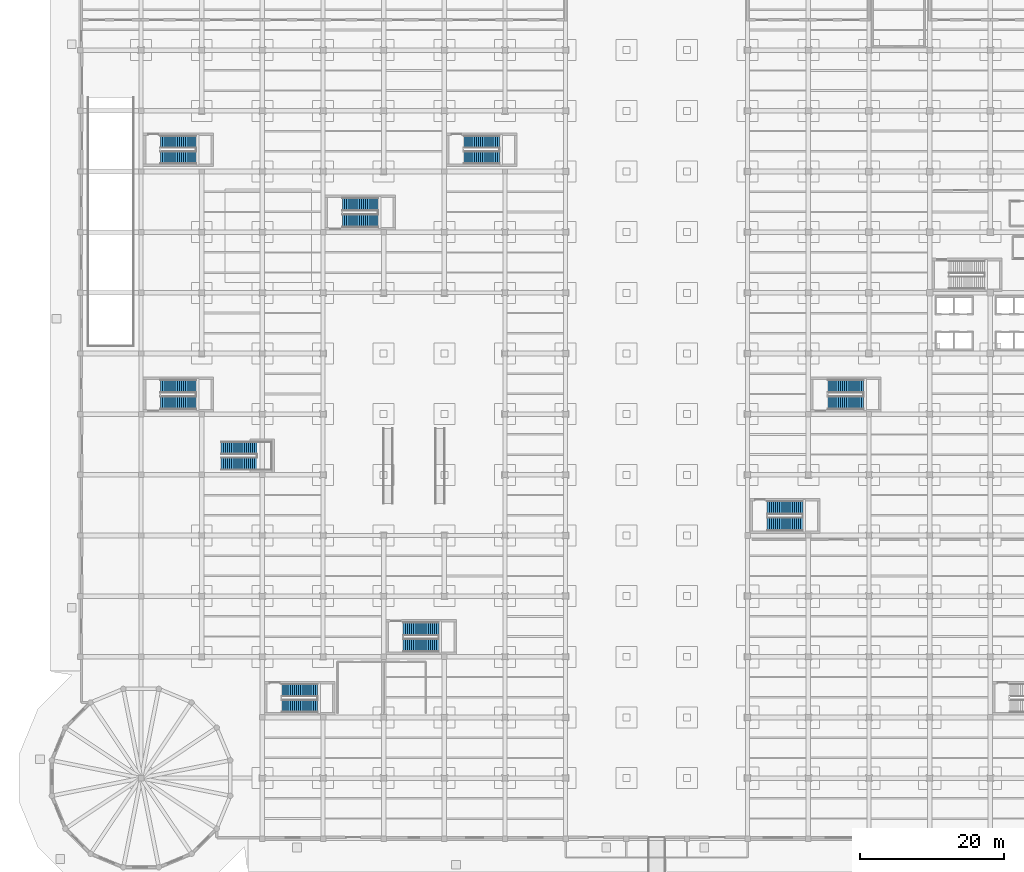
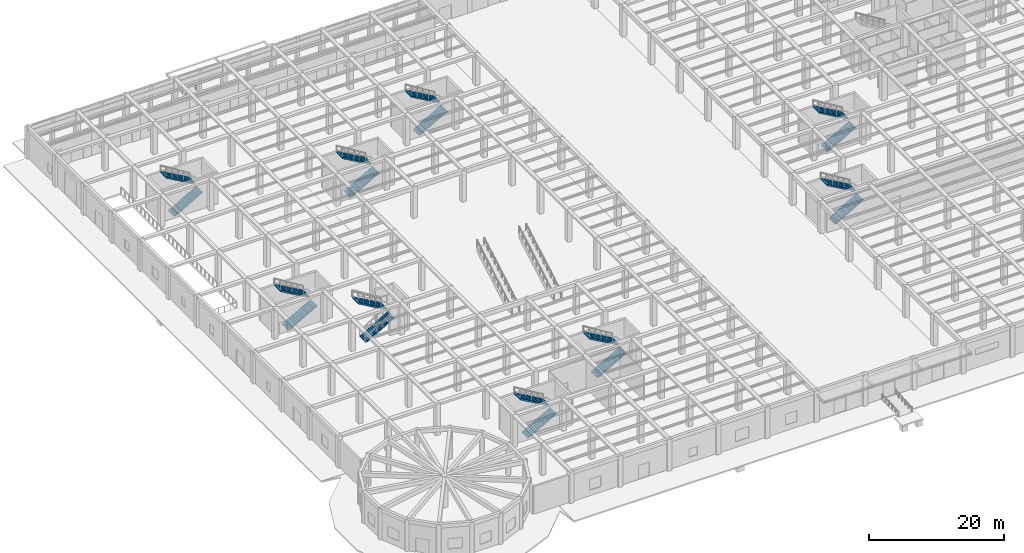
# One storey, part 32 of 43: 18 stair flights, 9 elements without a shape of their own.
"""IFC4 building model written with IfcOpenShell, lengths in metres."""

from ifc_helpers import new_model, si_unit, direction, frame, origin, place, context, subcontext, project, spatial, polyline, outline, extrude, material, layer, layer_set, type_object, element, aggregate, save


model = new_model("IFC4")

# Units and contexts
model_context = context("Model", 3, precision=1e-05, world=origin(), true_north=direction((0.0, 1.0)))
body_context = subcontext(model_context, "Body", "Model", "MODEL_VIEW")
ifc_project = project(units=[si_unit("LENGTHUNIT", "METRE"), si_unit("AREAUNIT", "SQUARE_METRE"), si_unit("VOLUMEUNIT", "CUBIC_METRE"), si_unit("PLANEANGLEUNIT", "RADIAN"), si_unit("MASSUNIT", "GRAM", prefix="KILO")], contexts=[model_context])

# Site, building, storey
site_placement = place(None, origin())
site = spatial("IfcSite", under=ifc_project, at=site_placement, CompositionType="ELEMENT")
building_placement = place(site_placement, origin())
building = spatial("IfcBuilding", under=site, at=building_placement, Name="Almacenes y Pasaje Nevantli", CompositionType="ELEMENT")
storey_placement = place(building_placement, origin())
storey = spatial("IfcBuildingStorey", under=building, at=storey_placement, Name="L01", CompositionType="ELEMENT", Elevation=0.0)

# Stair, stair flights
ifc_material_1 = material(Name="Concrete C35/45", Category="concrete")
stair_type_1 = type_object("IfcStairType", Name="STR-CORE-1750", PredefinedType="HALF_TURN_STAIR", material=ifc_material_1)
stair_1_placement = place(storey_placement, origin())
stair_1 = element("IfcStair", 1, at=stair_1_placement, inside=storey, type_object=stair_type_1, Name="L01 Staircase ST-03", PredefinedType="HALF_TURN_STAIR")
ifc_material_2 = material(Name="Concrete C35/45", Category="concrete")
ifc_layer = layer(ifc_material_2, 0.199951171875)
ifc_layer_set = layer_set([ifc_layer], Name="Concrete C35/45")
stair_flight_type = type_object("IfcStairFlightType", Name="SFL-RC-200", PredefinedType="STRAIGHT", material=ifc_layer_set)
stair_flight_1_placement = place(storey_placement, frame((11.10009765625, 94.324951171875, 0.0), z_axis=(0.0, 0.0, 1.0), x_axis=(1.0, 0.0, 0.0)))
stair_flight_1 = element("IfcStairFlight", 2, at=stair_flight_1_placement, type_object=stair_flight_type, Name="ST-03-L01 flight 1", NumberOfRisers=18, NumberOfTreads=17, PredefinedType="STRAIGHT", RiserHeight=0.166667, TreadLength=0.29, context=body_context, shape_type="SweptSolid", body=[
    extrude(outline(polyline([(0.0, 0.0), (0.0, 0.166748046875), (0.2900390625, 0.166748046875), (0.2900390625, 0.333251953125), (0.580078125, 0.333251953125), (0.580078125, 0.5), (0.8701171875, 0.5), (0.8701171875, 0.666748046875), (1.159912109375, 0.666748046875), (1.159912109375, 0.833251953125), (1.449951171875, 0.833251953125), (1.449951171875, 1.0), (1.739990234375, 1.0), (1.739990234375, 1.166748046875), (2.030029296875, 1.166748046875), (2.030029296875, 1.333251953125), (2.320068359375, 1.333251953125), (2.320068359375, 1.5), (2.610107421875, 1.5), (2.610107421875, 1.666748046875), (2.89990234375, 1.666748046875), (2.89990234375, 1.833251953125), (3.18994140625, 1.833251953125), (3.18994140625, 2.0), (3.47998046875, 2.0), (3.47998046875, 2.166748046875), (3.77001953125, 2.166748046875), (3.77001953125, 2.333251953125), (4.06005859375, 2.333251953125), (4.06005859375, 2.5), (4.35009765625, 2.5), (4.35009765625, 2.666748046875), (4.639892578125, 2.666748046875), (4.639892578125, 2.833251953125), (4.929931640625, 2.833251953125), (4.929931640625, 3.0), (4.929931640625, 2.602783203125), (0.4013671875, 0.0), (0.0, 0.0)])), frame((0.0, 0.875, 0.0), z_axis=(0.0, -1.0, 0.0), x_axis=(1.0, 0.0, 0.0)), (0.0, 0.0, 1.0), 1.75),
])
stair_flight_2_placement = place(storey_placement, frame((16.030029296875, 96.52490234375, 3.0), z_axis=(0.0, 0.0, 1.0), x_axis=(-1.0, 0.0, 0.0)))
stair_flight_2 = element("IfcStairFlight", 3, at=stair_flight_2_placement, type_object=stair_flight_type, Name="ST-03-L01 flight 2", NumberOfRisers=18, NumberOfTreads=17, PredefinedType="STRAIGHT", RiserHeight=0.166667, TreadLength=0.29, context=body_context, shape_type="SweptSolid", body=[
    extrude(outline(polyline([(0.0, 0.0), (0.0, 0.166748046875), (0.2900390625, 0.166748046875), (0.2900390625, 0.333251953125), (0.580078125, 0.333251953125), (0.580078125, 0.5), (0.8701171875, 0.5), (0.8701171875, 0.666748046875), (1.159912109375, 0.666748046875), (1.159912109375, 0.833251953125), (1.449951171875, 0.833251953125), (1.449951171875, 1.0), (1.739990234375, 1.0), (1.739990234375, 1.166748046875), (2.030029296875, 1.166748046875), (2.030029296875, 1.333251953125), (2.320068359375, 1.333251953125), (2.320068359375, 1.5), (2.610107421875, 1.5), (2.610107421875, 1.666748046875), (2.89990234375, 1.666748046875), (2.89990234375, 1.833251953125), (3.18994140625, 1.833251953125), (3.18994140625, 2.0), (3.47998046875, 2.0), (3.47998046875, 2.166748046875), (3.77001953125, 2.166748046875), (3.77001953125, 2.333251953125), (4.06005859375, 2.333251953125), (4.06005859375, 2.5), (4.35009765625, 2.5), (4.35009765625, 2.666748046875), (4.639892578125, 2.666748046875), (4.639892578125, 2.833251953125), (4.929931640625, 2.833251953125), (4.929931640625, 3.0), (4.929931640625, 2.602783203125), (0.4013671875, 0.0), (0.0, 0.0)])), frame((0.0, 0.875, 0.0), z_axis=(0.0, -1.0, 0.0), x_axis=(1.0, 0.0, 0.0)), (0.0, 0.0, 1.0), 1.75),
])
aggregate(stair_1, [stair_flight_1, stair_flight_2])

stair_2_placement = place(storey_placement, origin())
stair_2 = element("IfcStair", 4, at=stair_2_placement, inside=storey, type_object=stair_type_1, Name="L01 Staircase ST-04", PredefinedType="HALF_TURN_STAIR")
stair_flight_3_placement = place(storey_placement, frame((27.89990234375, 18.375, 0.0), z_axis=(0.0, 0.0, 1.0), x_axis=(1.0, 0.0, 0.0)))
stair_flight_3 = element("IfcStairFlight", 5, at=stair_flight_3_placement, type_object=stair_flight_type, Name="ST-04-L01 flight 1", NumberOfRisers=18, NumberOfTreads=17, PredefinedType="STRAIGHT", RiserHeight=0.166667, TreadLength=0.29, context=body_context, shape_type="SweptSolid", body=[
    extrude(outline(polyline([(0.0, 0.0), (0.0, 0.166748046875), (0.2900390625, 0.166748046875), (0.2900390625, 0.333251953125), (0.580078125, 0.333251953125), (0.580078125, 0.5), (0.8701171875, 0.5), (0.8701171875, 0.666748046875), (1.159912109375, 0.666748046875), (1.159912109375, 0.833251953125), (1.449951171875, 0.833251953125), (1.449951171875, 1.0), (1.739990234375, 1.0), (1.739990234375, 1.166748046875), (2.030029296875, 1.166748046875), (2.030029296875, 1.333251953125), (2.320068359375, 1.333251953125), (2.320068359375, 1.5), (2.610107421875, 1.5), (2.610107421875, 1.666748046875), (2.89990234375, 1.666748046875), (2.89990234375, 1.833251953125), (3.18994140625, 1.833251953125), (3.18994140625, 2.0), (3.47998046875, 2.0), (3.47998046875, 2.166748046875), (3.77001953125, 2.166748046875), (3.77001953125, 2.333251953125), (4.06005859375, 2.333251953125), (4.06005859375, 2.5), (4.35009765625, 2.5), (4.35009765625, 2.666748046875), (4.639892578125, 2.666748046875), (4.639892578125, 2.833251953125), (4.929931640625, 2.833251953125), (4.929931640625, 3.0), (4.929931640625, 2.602783203125), (0.4013671875, 0.0), (0.0, 0.0)])), frame((0.0, 0.875, 0.0), z_axis=(0.0, -1.0, 0.0), x_axis=(1.0, 0.0, 0.0)), (0.0, 0.0, 1.0), 1.75),
])
stair_flight_4_placement = place(storey_placement, frame((32.830078125, 20.574951171875, 3.0), z_axis=(0.0, 0.0, 1.0), x_axis=(-1.0, 0.0, 0.0)))
stair_flight_4 = element("IfcStairFlight", 6, at=stair_flight_4_placement, type_object=stair_flight_type, Name="ST-04-L01 flight 2", NumberOfRisers=18, NumberOfTreads=17, PredefinedType="STRAIGHT", RiserHeight=0.166667, TreadLength=0.29, context=body_context, shape_type="SweptSolid", body=[
    extrude(outline(polyline([(0.0, 0.0), (0.0, 0.166748046875), (0.2900390625, 0.166748046875), (0.2900390625, 0.333251953125), (0.580078125, 0.333251953125), (0.580078125, 0.5), (0.8701171875, 0.5), (0.8701171875, 0.666748046875), (1.159912109375, 0.666748046875), (1.159912109375, 0.833251953125), (1.449951171875, 0.833251953125), (1.449951171875, 1.0), (1.739990234375, 1.0), (1.739990234375, 1.166748046875), (2.030029296875, 1.166748046875), (2.030029296875, 1.333251953125), (2.320068359375, 1.333251953125), (2.320068359375, 1.5), (2.610107421875, 1.5), (2.610107421875, 1.666748046875), (2.89990234375, 1.666748046875), (2.89990234375, 1.833251953125), (3.18994140625, 1.833251953125), (3.18994140625, 2.0), (3.47998046875, 2.0), (3.47998046875, 2.166748046875), (3.77001953125, 2.166748046875), (3.77001953125, 2.333251953125), (4.06005859375, 2.333251953125), (4.06005859375, 2.5), (4.35009765625, 2.5), (4.35009765625, 2.666748046875), (4.639892578125, 2.666748046875), (4.639892578125, 2.833251953125), (4.929931640625, 2.833251953125), (4.929931640625, 3.0), (4.929931640625, 2.602783203125), (0.4013671875, 0.0), (0.0, 0.0)])), frame((0.0, 0.875, 0.0), z_axis=(0.0, -1.0, 0.0), x_axis=(1.0, 0.0, 0.0)), (0.0, 0.0, 1.0), 1.75),
])
aggregate(stair_2, [stair_flight_3, stair_flight_4])

stair_3_placement = place(storey_placement, origin())
stair_3 = element("IfcStair", 7, at=stair_3_placement, inside=storey, type_object=stair_type_1, Name="L01 Staircase ST-05", PredefinedType="HALF_TURN_STAIR")
stair_flight_5_placement = place(storey_placement, frame((53.10009765625, 94.324951171875, 0.0), z_axis=(0.0, 0.0, 1.0), x_axis=(1.0, 0.0, 0.0)))
stair_flight_5 = element("IfcStairFlight", 8, at=stair_flight_5_placement, type_object=stair_flight_type, Name="ST-05-L01 flight 1", NumberOfRisers=18, NumberOfTreads=17, PredefinedType="STRAIGHT", RiserHeight=0.166667, TreadLength=0.29, context=body_context, shape_type="SweptSolid", body=[
    extrude(outline(polyline([(0.0, 0.0), (0.0, 0.166748046875), (0.2900390625, 0.166748046875), (0.2900390625, 0.333251953125), (0.580078125, 0.333251953125), (0.580078125, 0.5), (0.8701171875, 0.5), (0.8701171875, 0.666748046875), (1.159912109375, 0.666748046875), (1.159912109375, 0.833251953125), (1.449951171875, 0.833251953125), (1.449951171875, 1.0), (1.739990234375, 1.0), (1.739990234375, 1.166748046875), (2.030029296875, 1.166748046875), (2.030029296875, 1.333251953125), (2.320068359375, 1.333251953125), (2.320068359375, 1.5), (2.610107421875, 1.5), (2.610107421875, 1.666748046875), (2.89990234375, 1.666748046875), (2.89990234375, 1.833251953125), (3.18994140625, 1.833251953125), (3.18994140625, 2.0), (3.47998046875, 2.0), (3.47998046875, 2.166748046875), (3.77001953125, 2.166748046875), (3.77001953125, 2.333251953125), (4.06005859375, 2.333251953125), (4.06005859375, 2.5), (4.35009765625, 2.5), (4.35009765625, 2.666748046875), (4.639892578125, 2.666748046875), (4.639892578125, 2.833251953125), (4.929931640625, 2.833251953125), (4.929931640625, 3.0), (4.929931640625, 2.602783203125), (0.4013671875, 0.0), (0.0, 0.0)])), frame((0.0, 0.875, 0.0), z_axis=(0.0, -1.0, 0.0), x_axis=(1.0, 0.0, 0.0)), (0.0, 0.0, 1.0), 1.75),
])
stair_flight_6_placement = place(storey_placement, frame((58.030029296875, 96.52490234375, 3.0), z_axis=(0.0, 0.0, 1.0), x_axis=(-1.0, 0.0, 0.0)))
stair_flight_6 = element("IfcStairFlight", 9, at=stair_flight_6_placement, type_object=stair_flight_type, Name="ST-05-L01 flight 2", NumberOfRisers=18, NumberOfTreads=17, PredefinedType="STRAIGHT", RiserHeight=0.166667, TreadLength=0.29, context=body_context, shape_type="SweptSolid", body=[
    extrude(outline(polyline([(0.0, 0.0), (0.0, 0.166748046875), (0.2900390625, 0.166748046875), (0.2900390625, 0.333251953125), (0.580078125, 0.333251953125), (0.580078125, 0.5), (0.8701171875, 0.5), (0.8701171875, 0.666748046875), (1.159912109375, 0.666748046875), (1.159912109375, 0.833251953125), (1.449951171875, 0.833251953125), (1.449951171875, 1.0), (1.739990234375, 1.0), (1.739990234375, 1.166748046875), (2.030029296875, 1.166748046875), (2.030029296875, 1.333251953125), (2.320068359375, 1.333251953125), (2.320068359375, 1.5), (2.610107421875, 1.5), (2.610107421875, 1.666748046875), (2.89990234375, 1.666748046875), (2.89990234375, 1.833251953125), (3.18994140625, 1.833251953125), (3.18994140625, 2.0), (3.47998046875, 2.0), (3.47998046875, 2.166748046875), (3.77001953125, 2.166748046875), (3.77001953125, 2.333251953125), (4.06005859375, 2.333251953125), (4.06005859375, 2.5), (4.35009765625, 2.5), (4.35009765625, 2.666748046875), (4.639892578125, 2.666748046875), (4.639892578125, 2.833251953125), (4.929931640625, 2.833251953125), (4.929931640625, 3.0), (4.929931640625, 2.602783203125), (0.4013671875, 0.0), (0.0, 0.0)])), frame((0.0, 0.875, 0.0), z_axis=(0.0, -1.0, 0.0), x_axis=(1.0, 0.0, 0.0)), (0.0, 0.0, 1.0), 1.75),
])
aggregate(stair_3, [stair_flight_5, stair_flight_6])

ifc_material_3 = material(Name="Concrete C35/45", Category="concrete")
stair_type_2 = type_object("IfcStairType", Name="STR-CORE-1850", PredefinedType="HALF_TURN_STAIR", material=ifc_material_3)
stair_4_placement = place(storey_placement, origin())
stair_4 = element("IfcStair", 10, at=stair_4_placement, inside=storey, type_object=stair_type_2, Name="L01 Staircase ST-08", PredefinedType="HALF_TURN_STAIR")
stair_flight_7_placement = place(storey_placement, frame((95.10009765625, 43.574951171875, 0.0), z_axis=(0.0, 0.0, 1.0), x_axis=(1.0, 0.0, 0.0)))
stair_flight_7 = element("IfcStairFlight", 11, at=stair_flight_7_placement, type_object=stair_flight_type, Name="ST-08-L01 flight 1", NumberOfRisers=18, NumberOfTreads=17, PredefinedType="STRAIGHT", RiserHeight=0.166667, TreadLength=0.29, context=body_context, shape_type="SweptSolid", body=[
    extrude(outline(polyline([(0.0, 0.0), (0.0, 0.166748046875), (0.2900390625, 0.166748046875), (0.2900390625, 0.333251953125), (0.580078125, 0.333251953125), (0.580078125, 0.5), (0.8701171875, 0.5), (0.8701171875, 0.666748046875), (1.159912109375, 0.666748046875), (1.159912109375, 0.833251953125), (1.449951171875, 0.833251953125), (1.449951171875, 1.0), (1.739990234375, 1.0), (1.739990234375, 1.166748046875), (2.030029296875, 1.166748046875), (2.030029296875, 1.333251953125), (2.320068359375, 1.333251953125), (2.320068359375, 1.5), (2.610107421875, 1.5), (2.610107421875, 1.666748046875), (2.89990234375, 1.666748046875), (2.89990234375, 1.833251953125), (3.18994140625, 1.833251953125), (3.18994140625, 2.0), (3.47998046875, 2.0), (3.47998046875, 2.166748046875), (3.77001953125, 2.166748046875), (3.77001953125, 2.333251953125), (4.06005859375, 2.333251953125), (4.06005859375, 2.5), (4.35009765625, 2.5), (4.35009765625, 2.666748046875), (4.639892578125, 2.666748046875), (4.639892578125, 2.833251953125), (4.929931640625, 2.833251953125), (4.929931640625, 3.0), (4.929931640625, 2.602783203125), (0.4013671875, 0.0), (0.0, 0.0)])), frame((0.0, 0.925048828125, 0.0), z_axis=(0.0, -1.0, 0.0), x_axis=(1.0, 0.0, 0.0)), (0.0, 0.0, 1.0), 1.85009765625),
])
stair_flight_8_placement = place(storey_placement, frame((100.030029296875, 45.875, 3.0), z_axis=(0.0, 0.0, 1.0), x_axis=(-1.0, 0.0, 0.0)))
stair_flight_8 = element("IfcStairFlight", 12, at=stair_flight_8_placement, type_object=stair_flight_type, Name="ST-08-L01 flight 2", NumberOfRisers=18, NumberOfTreads=17, PredefinedType="STRAIGHT", RiserHeight=0.166667, TreadLength=0.29, context=body_context, shape_type="SweptSolid", body=[
    extrude(outline(polyline([(0.0, 0.0), (0.0, 0.166748046875), (0.2900390625, 0.166748046875), (0.2900390625, 0.333251953125), (0.580078125, 0.333251953125), (0.580078125, 0.5), (0.8701171875, 0.5), (0.8701171875, 0.666748046875), (1.159912109375, 0.666748046875), (1.159912109375, 0.833251953125), (1.449951171875, 0.833251953125), (1.449951171875, 1.0), (1.739990234375, 1.0), (1.739990234375, 1.166748046875), (2.030029296875, 1.166748046875), (2.030029296875, 1.333251953125), (2.320068359375, 1.333251953125), (2.320068359375, 1.5), (2.610107421875, 1.5), (2.610107421875, 1.666748046875), (2.89990234375, 1.666748046875), (2.89990234375, 1.833251953125), (3.18994140625, 1.833251953125), (3.18994140625, 2.0), (3.47998046875, 2.0), (3.47998046875, 2.166748046875), (3.77001953125, 2.166748046875), (3.77001953125, 2.333251953125), (4.06005859375, 2.333251953125), (4.06005859375, 2.5), (4.35009765625, 2.5), (4.35009765625, 2.666748046875), (4.639892578125, 2.666748046875), (4.639892578125, 2.833251953125), (4.929931640625, 2.833251953125), (4.929931640625, 3.0), (4.929931640625, 2.602783203125), (0.4013671875, 0.0), (0.0, 0.0)])), frame((0.0, 0.925048828125, 0.0), z_axis=(0.0, -1.0, 0.0), x_axis=(1.0, 0.0, 0.0)), (0.0, 0.0, 1.0), 1.85009765625),
])
aggregate(stair_4, [stair_flight_7, stair_flight_8])

stair_5_placement = place(storey_placement, origin())
stair_5 = element("IfcStair", 13, at=stair_5_placement, inside=storey, type_object=stair_type_2, Name="L01 Staircase ST-12", PredefinedType="HALF_TURN_STAIR")
stair_flight_9_placement = place(storey_placement, frame((11.10009765625, 60.375, 0.0), z_axis=(0.0, 0.0, 1.0), x_axis=(1.0, 0.0, 0.0)))
stair_flight_9 = element("IfcStairFlight", 14, at=stair_flight_9_placement, type_object=stair_flight_type, Name="ST-12-L01 flight 1", NumberOfRisers=18, NumberOfTreads=17, PredefinedType="STRAIGHT", RiserHeight=0.166667, TreadLength=0.29, context=body_context, shape_type="SweptSolid", body=[
    extrude(outline(polyline([(0.0, 0.0), (0.0, 0.166748046875), (0.2900390625, 0.166748046875), (0.2900390625, 0.333251953125), (0.580078125, 0.333251953125), (0.580078125, 0.5), (0.8701171875, 0.5), (0.8701171875, 0.666748046875), (1.159912109375, 0.666748046875), (1.159912109375, 0.833251953125), (1.449951171875, 0.833251953125), (1.449951171875, 1.0), (1.739990234375, 1.0), (1.739990234375, 1.166748046875), (2.030029296875, 1.166748046875), (2.030029296875, 1.333251953125), (2.320068359375, 1.333251953125), (2.320068359375, 1.5), (2.610107421875, 1.5), (2.610107421875, 1.666748046875), (2.89990234375, 1.666748046875), (2.89990234375, 1.833251953125), (3.18994140625, 1.833251953125), (3.18994140625, 2.0), (3.47998046875, 2.0), (3.47998046875, 2.166748046875), (3.77001953125, 2.166748046875), (3.77001953125, 2.333251953125), (4.06005859375, 2.333251953125), (4.06005859375, 2.5), (4.35009765625, 2.5), (4.35009765625, 2.666748046875), (4.639892578125, 2.666748046875), (4.639892578125, 2.833251953125), (4.929931640625, 2.833251953125), (4.929931640625, 3.0), (4.929931640625, 2.602783203125), (0.4013671875, 0.0), (0.0, 0.0)])), frame((0.0, 0.925048828125, 0.0), z_axis=(0.0, -1.0, 0.0), x_axis=(1.0, 0.0, 0.0)), (0.0, 0.0, 1.0), 1.85009765625),
])
stair_flight_10_placement = place(storey_placement, frame((16.030029296875, 62.675048828125, 3.0), z_axis=(0.0, 0.0, 1.0), x_axis=(-1.0, 0.0, 0.0)))
stair_flight_10 = element("IfcStairFlight", 15, at=stair_flight_10_placement, type_object=stair_flight_type, Name="ST-12-L01 flight 2", NumberOfRisers=18, NumberOfTreads=17, PredefinedType="STRAIGHT", RiserHeight=0.166667, TreadLength=0.29, context=body_context, shape_type="SweptSolid", body=[
    extrude(outline(polyline([(0.0, 0.0), (0.0, 0.166748046875), (0.2900390625, 0.166748046875), (0.2900390625, 0.333251953125), (0.580078125, 0.333251953125), (0.580078125, 0.5), (0.8701171875, 0.5), (0.8701171875, 0.666748046875), (1.159912109375, 0.666748046875), (1.159912109375, 0.833251953125), (1.449951171875, 0.833251953125), (1.449951171875, 1.0), (1.739990234375, 1.0), (1.739990234375, 1.166748046875), (2.030029296875, 1.166748046875), (2.030029296875, 1.333251953125), (2.320068359375, 1.333251953125), (2.320068359375, 1.5), (2.610107421875, 1.5), (2.610107421875, 1.666748046875), (2.89990234375, 1.666748046875), (2.89990234375, 1.833251953125), (3.18994140625, 1.833251953125), (3.18994140625, 2.0), (3.47998046875, 2.0), (3.47998046875, 2.166748046875), (3.77001953125, 2.166748046875), (3.77001953125, 2.333251953125), (4.06005859375, 2.333251953125), (4.06005859375, 2.5), (4.35009765625, 2.5), (4.35009765625, 2.666748046875), (4.639892578125, 2.666748046875), (4.639892578125, 2.833251953125), (4.929931640625, 2.833251953125), (4.929931640625, 3.0), (4.929931640625, 2.602783203125), (0.4013671875, 0.0), (0.0, 0.0)])), frame((0.0, 0.925048828125, 0.0), z_axis=(0.0, -1.0, 0.0), x_axis=(1.0, 0.0, 0.0)), (0.0, 0.0, 1.0), 1.85009765625),
])
aggregate(stair_5, [stair_flight_9, stair_flight_10])

stair_6_placement = place(storey_placement, origin())
stair_6 = element("IfcStair", 16, at=stair_6_placement, inside=storey, type_object=stair_type_2, Name="L01 Staircase ST-13", PredefinedType="HALF_TURN_STAIR")
stair_flight_11_placement = place(storey_placement, frame((103.5, 60.375, 0.0), z_axis=(0.0, 0.0, 1.0), x_axis=(1.0, 0.0, 0.0)))
stair_flight_11 = element("IfcStairFlight", 17, at=stair_flight_11_placement, type_object=stair_flight_type, Name="ST-13-L01 flight 1", NumberOfRisers=18, NumberOfTreads=17, PredefinedType="STRAIGHT", RiserHeight=0.166667, TreadLength=0.29, context=body_context, shape_type="SweptSolid", body=[
    extrude(outline(polyline([(0.0, 0.0), (0.0, 0.166748046875), (0.2900390625, 0.166748046875), (0.2900390625, 0.333251953125), (0.580078125, 0.333251953125), (0.580078125, 0.5), (0.8701171875, 0.5), (0.8701171875, 0.666748046875), (1.159912109375, 0.666748046875), (1.159912109375, 0.833251953125), (1.449951171875, 0.833251953125), (1.449951171875, 1.0), (1.739990234375, 1.0), (1.739990234375, 1.166748046875), (2.030029296875, 1.166748046875), (2.030029296875, 1.333251953125), (2.320068359375, 1.333251953125), (2.320068359375, 1.5), (2.610107421875, 1.5), (2.610107421875, 1.666748046875), (2.89990234375, 1.666748046875), (2.89990234375, 1.833251953125), (3.18994140625, 1.833251953125), (3.18994140625, 2.0), (3.47998046875, 2.0), (3.47998046875, 2.166748046875), (3.77001953125, 2.166748046875), (3.77001953125, 2.333251953125), (4.06005859375, 2.333251953125), (4.06005859375, 2.5), (4.35009765625, 2.5), (4.35009765625, 2.666748046875), (4.639892578125, 2.666748046875), (4.639892578125, 2.833251953125), (4.929931640625, 2.833251953125), (4.929931640625, 3.0), (4.929931640625, 2.602783203125), (0.4013671875, 0.0), (0.0, 0.0)])), frame((0.0, 0.925048828125, 0.0), z_axis=(0.0, -1.0, 0.0), x_axis=(1.0, 0.0, 0.0)), (0.0, 0.0, 1.0), 1.85009765625),
])
stair_flight_12_placement = place(storey_placement, frame((108.429931640625, 62.675048828125, 3.0), z_axis=(0.0, 0.0, 1.0), x_axis=(-1.0, 0.0, 0.0)))
stair_flight_12 = element("IfcStairFlight", 18, at=stair_flight_12_placement, type_object=stair_flight_type, Name="ST-13-L01 flight 2", NumberOfRisers=18, NumberOfTreads=17, PredefinedType="STRAIGHT", RiserHeight=0.166667, TreadLength=0.29, context=body_context, shape_type="SweptSolid", body=[
    extrude(outline(polyline([(0.0, 0.0), (0.0, 0.166748046875), (0.2900390625, 0.166748046875), (0.2900390625, 0.333251953125), (0.580078125, 0.333251953125), (0.580078125, 0.5), (0.8701171875, 0.5), (0.8701171875, 0.666748046875), (1.159912109375, 0.666748046875), (1.159912109375, 0.833251953125), (1.449951171875, 0.833251953125), (1.449951171875, 1.0), (1.739990234375, 1.0), (1.739990234375, 1.166748046875), (2.030029296875, 1.166748046875), (2.030029296875, 1.333251953125), (2.320068359375, 1.333251953125), (2.320068359375, 1.5), (2.610107421875, 1.5), (2.610107421875, 1.666748046875), (2.89990234375, 1.666748046875), (2.89990234375, 1.833251953125), (3.18994140625, 1.833251953125), (3.18994140625, 2.0), (3.47998046875, 2.0), (3.47998046875, 2.166748046875), (3.77001953125, 2.166748046875), (3.77001953125, 2.333251953125), (4.06005859375, 2.333251953125), (4.06005859375, 2.5), (4.35009765625, 2.5), (4.35009765625, 2.666748046875), (4.639892578125, 2.666748046875), (4.639892578125, 2.833251953125), (4.929931640625, 2.833251953125), (4.929931640625, 3.0), (4.929931640625, 2.602783203125), (0.4013671875, 0.0), (0.0, 0.0)])), frame((0.0, 0.925048828125, 0.0), z_axis=(0.0, -1.0, 0.0), x_axis=(1.0, 0.0, 0.0)), (0.0, 0.0, 1.0), 1.85009765625),
])
aggregate(stair_6, [stair_flight_11, stair_flight_12])

stair_7_placement = place(storey_placement, origin())
stair_7 = element("IfcStair", 19, at=stair_7_placement, inside=storey, type_object=stair_type_2, Name="L01 Staircase ST-14", PredefinedType="HALF_TURN_STAIR")
stair_flight_13_placement = place(storey_placement, frame((44.699951171875, 26.77490234375, 0.0), z_axis=(0.0, 0.0, 1.0), x_axis=(1.0, 0.0, 0.0)))
stair_flight_13 = element("IfcStairFlight", 20, at=stair_flight_13_placement, type_object=stair_flight_type, Name="ST-14-L01 flight 1", NumberOfRisers=18, NumberOfTreads=17, PredefinedType="STRAIGHT", RiserHeight=0.166667, TreadLength=0.29, context=body_context, shape_type="SweptSolid", body=[
    extrude(outline(polyline([(0.0, 0.0), (0.0, 0.166748046875), (0.2900390625, 0.166748046875), (0.2900390625, 0.333251953125), (0.580078125, 0.333251953125), (0.580078125, 0.5), (0.8701171875, 0.5), (0.8701171875, 0.666748046875), (1.159912109375, 0.666748046875), (1.159912109375, 0.833251953125), (1.449951171875, 0.833251953125), (1.449951171875, 1.0), (1.739990234375, 1.0), (1.739990234375, 1.166748046875), (2.030029296875, 1.166748046875), (2.030029296875, 1.333251953125), (2.320068359375, 1.333251953125), (2.320068359375, 1.5), (2.610107421875, 1.5), (2.610107421875, 1.666748046875), (2.89990234375, 1.666748046875), (2.89990234375, 1.833251953125), (3.18994140625, 1.833251953125), (3.18994140625, 2.0), (3.47998046875, 2.0), (3.47998046875, 2.166748046875), (3.77001953125, 2.166748046875), (3.77001953125, 2.333251953125), (4.06005859375, 2.333251953125), (4.06005859375, 2.5), (4.35009765625, 2.5), (4.35009765625, 2.666748046875), (4.639892578125, 2.666748046875), (4.639892578125, 2.833251953125), (4.929931640625, 2.833251953125), (4.929931640625, 3.0), (4.929931640625, 2.602783203125), (0.4013671875, 0.0), (0.0, 0.0)])), frame((0.0, 0.925048828125, 0.0), z_axis=(0.0, -1.0, 0.0), x_axis=(1.0, 0.0, 0.0)), (0.0, 0.0, 1.0), 1.85009765625),
])
stair_flight_14_placement = place(storey_placement, frame((49.6298828125, 29.074951171875, 3.0), z_axis=(0.0, 0.0, 1.0), x_axis=(-1.0, 0.0, 0.0)))
stair_flight_14 = element("IfcStairFlight", 21, at=stair_flight_14_placement, type_object=stair_flight_type, Name="ST-14-L01 flight 2", NumberOfRisers=18, NumberOfTreads=17, PredefinedType="STRAIGHT", RiserHeight=0.166667, TreadLength=0.29, context=body_context, shape_type="SweptSolid", body=[
    extrude(outline(polyline([(0.0, 0.0), (0.0, 0.166748046875), (0.2900390625, 0.166748046875), (0.2900390625, 0.333251953125), (0.580078125, 0.333251953125), (0.580078125, 0.5), (0.8701171875, 0.5), (0.8701171875, 0.666748046875), (1.159912109375, 0.666748046875), (1.159912109375, 0.833251953125), (1.449951171875, 0.833251953125), (1.449951171875, 1.0), (1.739990234375, 1.0), (1.739990234375, 1.166748046875), (2.030029296875, 1.166748046875), (2.030029296875, 1.333251953125), (2.320068359375, 1.333251953125), (2.320068359375, 1.5), (2.610107421875, 1.5), (2.610107421875, 1.666748046875), (2.89990234375, 1.666748046875), (2.89990234375, 1.833251953125), (3.18994140625, 1.833251953125), (3.18994140625, 2.0), (3.47998046875, 2.0), (3.47998046875, 2.166748046875), (3.77001953125, 2.166748046875), (3.77001953125, 2.333251953125), (4.06005859375, 2.333251953125), (4.06005859375, 2.5), (4.35009765625, 2.5), (4.35009765625, 2.666748046875), (4.639892578125, 2.666748046875), (4.639892578125, 2.833251953125), (4.929931640625, 2.833251953125), (4.929931640625, 3.0), (4.929931640625, 2.602783203125), (0.4013671875, 0.0), (0.0, 0.0)])), frame((0.0, 0.925048828125, 0.0), z_axis=(0.0, -1.0, 0.0), x_axis=(1.0, 0.0, 0.0)), (0.0, 0.0, 1.0), 1.85009765625),
])
aggregate(stair_7, [stair_flight_13, stair_flight_14])

stair_8_placement = place(storey_placement, origin())
stair_8 = element("IfcStair", 22, at=stair_8_placement, inside=storey, type_object=stair_type_2, Name="L01 Staircase ST-15", PredefinedType="HALF_TURN_STAIR")
stair_flight_15_placement = place(storey_placement, frame((36.300048828125, 85.574951171875, 0.0), z_axis=(0.0, 0.0, 1.0), x_axis=(1.0, 0.0, 0.0)))
stair_flight_15 = element("IfcStairFlight", 23, at=stair_flight_15_placement, type_object=stair_flight_type, Name="ST-15-L01 flight 1", NumberOfRisers=18, NumberOfTreads=17, PredefinedType="STRAIGHT", RiserHeight=0.166667, TreadLength=0.29, context=body_context, shape_type="SweptSolid", body=[
    extrude(outline(polyline([(0.0, 0.0), (0.0, 0.166748046875), (0.2900390625, 0.166748046875), (0.2900390625, 0.333251953125), (0.580078125, 0.333251953125), (0.580078125, 0.5), (0.8701171875, 0.5), (0.8701171875, 0.666748046875), (1.159912109375, 0.666748046875), (1.159912109375, 0.833251953125), (1.449951171875, 0.833251953125), (1.449951171875, 1.0), (1.739990234375, 1.0), (1.739990234375, 1.166748046875), (2.030029296875, 1.166748046875), (2.030029296875, 1.333251953125), (2.320068359375, 1.333251953125), (2.320068359375, 1.5), (2.610107421875, 1.5), (2.610107421875, 1.666748046875), (2.89990234375, 1.666748046875), (2.89990234375, 1.833251953125), (3.18994140625, 1.833251953125), (3.18994140625, 2.0), (3.47998046875, 2.0), (3.47998046875, 2.166748046875), (3.77001953125, 2.166748046875), (3.77001953125, 2.333251953125), (4.06005859375, 2.333251953125), (4.06005859375, 2.5), (4.35009765625, 2.5), (4.35009765625, 2.666748046875), (4.639892578125, 2.666748046875), (4.639892578125, 2.833251953125), (4.929931640625, 2.833251953125), (4.929931640625, 3.0), (4.929931640625, 2.602783203125), (0.4013671875, 0.0), (0.0, 0.0)])), frame((0.0, 0.925048828125, 0.0), z_axis=(0.0, -1.0, 0.0), x_axis=(1.0, 0.0, 0.0)), (0.0, 0.0, 1.0), 1.85009765625),
])
stair_flight_16_placement = place(storey_placement, frame((41.22998046875, 87.875, 3.0), z_axis=(0.0, 0.0, 1.0), x_axis=(-1.0, 0.0, 0.0)))
stair_flight_16 = element("IfcStairFlight", 24, at=stair_flight_16_placement, type_object=stair_flight_type, Name="ST-15-L01 flight 2", NumberOfRisers=18, NumberOfTreads=17, PredefinedType="STRAIGHT", RiserHeight=0.166667, TreadLength=0.29, context=body_context, shape_type="SweptSolid", body=[
    extrude(outline(polyline([(0.0, 0.0), (0.0, 0.166748046875), (0.2900390625, 0.166748046875), (0.2900390625, 0.333251953125), (0.580078125, 0.333251953125), (0.580078125, 0.5), (0.8701171875, 0.5), (0.8701171875, 0.666748046875), (1.159912109375, 0.666748046875), (1.159912109375, 0.833251953125), (1.449951171875, 0.833251953125), (1.449951171875, 1.0), (1.739990234375, 1.0), (1.739990234375, 1.166748046875), (2.030029296875, 1.166748046875), (2.030029296875, 1.333251953125), (2.320068359375, 1.333251953125), (2.320068359375, 1.5), (2.610107421875, 1.5), (2.610107421875, 1.666748046875), (2.89990234375, 1.666748046875), (2.89990234375, 1.833251953125), (3.18994140625, 1.833251953125), (3.18994140625, 2.0), (3.47998046875, 2.0), (3.47998046875, 2.166748046875), (3.77001953125, 2.166748046875), (3.77001953125, 2.333251953125), (4.06005859375, 2.333251953125), (4.06005859375, 2.5), (4.35009765625, 2.5), (4.35009765625, 2.666748046875), (4.639892578125, 2.666748046875), (4.639892578125, 2.833251953125), (4.929931640625, 2.833251953125), (4.929931640625, 3.0), (4.929931640625, 2.602783203125), (0.4013671875, 0.0), (0.0, 0.0)])), frame((0.0, 0.925048828125, 0.0), z_axis=(0.0, -1.0, 0.0), x_axis=(1.0, 0.0, 0.0)), (0.0, 0.0, 1.0), 1.85009765625),
])
aggregate(stair_8, [stair_flight_15, stair_flight_16])

ifc_material_4 = material(Name="Concrete C35/45", Category="concrete")
stair_type_3 = type_object("IfcStairType", Name="STR-FEAT-1750", PredefinedType="HALF_TURN_STAIR", material=ifc_material_4)
stair_9_placement = place(storey_placement, origin())
stair_9 = element("IfcStair", 25, at=stair_9_placement, inside=storey, type_object=stair_type_3, Name="L01 Staircase ST-09", PredefinedType="HALF_TURN_STAIR")
stair_flight_17_placement = place(storey_placement, frame((19.5, 51.925048828125, 0.0), z_axis=(0.0, 0.0, 1.0), x_axis=(1.0, 0.0, 0.0)))
stair_flight_17 = element("IfcStairFlight", 26, at=stair_flight_17_placement, type_object=stair_flight_type, Name="ST-09-L01 flight 1", NumberOfRisers=18, NumberOfTreads=17, PredefinedType="STRAIGHT", RiserHeight=0.166667, TreadLength=0.29, context=body_context, shape_type="SweptSolid", body=[
    extrude(outline(polyline([(0.0, 0.0), (0.0, 0.166748046875), (0.2900390625, 0.166748046875), (0.2900390625, 0.333251953125), (0.580078125, 0.333251953125), (0.580078125, 0.5), (0.8701171875, 0.5), (0.8701171875, 0.666748046875), (1.159912109375, 0.666748046875), (1.159912109375, 0.833251953125), (1.449951171875, 0.833251953125), (1.449951171875, 1.0), (1.739990234375, 1.0), (1.739990234375, 1.166748046875), (2.030029296875, 1.166748046875), (2.030029296875, 1.333251953125), (2.320068359375, 1.333251953125), (2.320068359375, 1.5), (2.610107421875, 1.5), (2.610107421875, 1.666748046875), (2.89990234375, 1.666748046875), (2.89990234375, 1.833251953125), (3.18994140625, 1.833251953125), (3.18994140625, 2.0), (3.47998046875, 2.0), (3.47998046875, 2.166748046875), (3.77001953125, 2.166748046875), (3.77001953125, 2.333251953125), (4.06005859375, 2.333251953125), (4.06005859375, 2.5), (4.35009765625, 2.5), (4.35009765625, 2.666748046875), (4.639892578125, 2.666748046875), (4.639892578125, 2.833251953125), (4.929931640625, 2.833251953125), (4.929931640625, 3.0), (4.929931640625, 2.602783203125), (0.4013671875, 0.0), (0.0, 0.0)])), frame((0.0, 0.875, 0.0), z_axis=(0.0, -1.0, 0.0), x_axis=(1.0, 0.0, 0.0)), (0.0, 0.0, 1.0), 1.75),
])
stair_flight_18_placement = place(storey_placement, frame((24.429931640625, 54.125, 3.0), z_axis=(0.0, 0.0, 1.0), x_axis=(-1.0, 0.0, 0.0)))
stair_flight_18 = element("IfcStairFlight", 27, at=stair_flight_18_placement, type_object=stair_flight_type, Name="ST-09-L01 flight 2", NumberOfRisers=18, NumberOfTreads=17, PredefinedType="STRAIGHT", RiserHeight=0.166667, TreadLength=0.29, context=body_context, shape_type="SweptSolid", body=[
    extrude(outline(polyline([(0.0, 0.0), (0.0, 0.166748046875), (0.2900390625, 0.166748046875), (0.2900390625, 0.333251953125), (0.580078125, 0.333251953125), (0.580078125, 0.5), (0.8701171875, 0.5), (0.8701171875, 0.666748046875), (1.159912109375, 0.666748046875), (1.159912109375, 0.833251953125), (1.449951171875, 0.833251953125), (1.449951171875, 1.0), (1.739990234375, 1.0), (1.739990234375, 1.166748046875), (2.030029296875, 1.166748046875), (2.030029296875, 1.333251953125), (2.320068359375, 1.333251953125), (2.320068359375, 1.5), (2.610107421875, 1.5), (2.610107421875, 1.666748046875), (2.89990234375, 1.666748046875), (2.89990234375, 1.833251953125), (3.18994140625, 1.833251953125), (3.18994140625, 2.0), (3.47998046875, 2.0), (3.47998046875, 2.166748046875), (3.77001953125, 2.166748046875), (3.77001953125, 2.333251953125), (4.06005859375, 2.333251953125), (4.06005859375, 2.5), (4.35009765625, 2.5), (4.35009765625, 2.666748046875), (4.639892578125, 2.666748046875), (4.639892578125, 2.833251953125), (4.929931640625, 2.833251953125), (4.929931640625, 3.0), (4.929931640625, 2.602783203125), (0.4013671875, 0.0), (0.0, 0.0)])), frame((0.0, 0.875, 0.0), z_axis=(0.0, -1.0, 0.0), x_axis=(1.0, 0.0, 0.0)), (0.0, 0.0, 1.0), 1.75),
])
aggregate(stair_9, [stair_flight_17, stair_flight_18])

save(model, "model.ifc")
